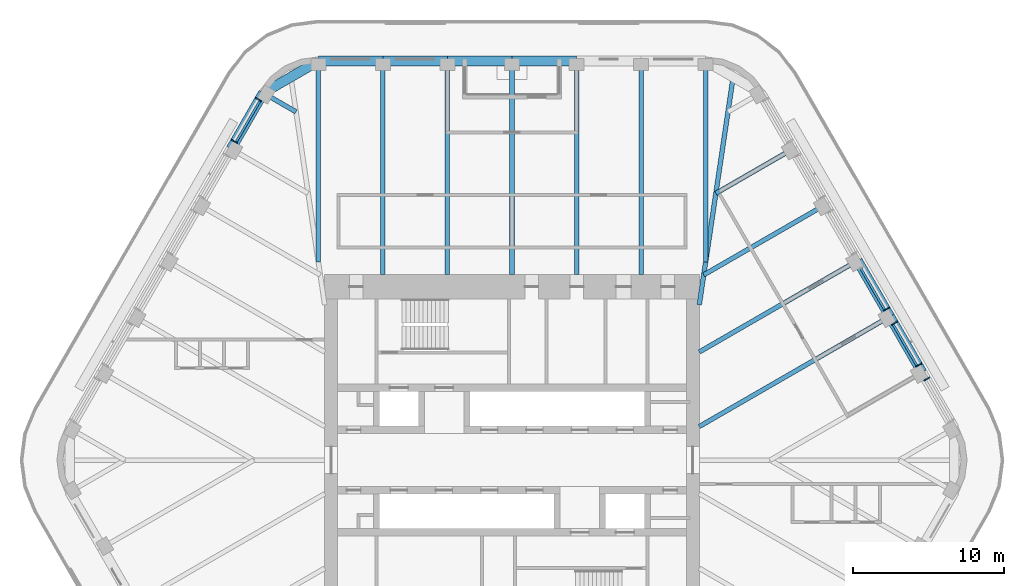
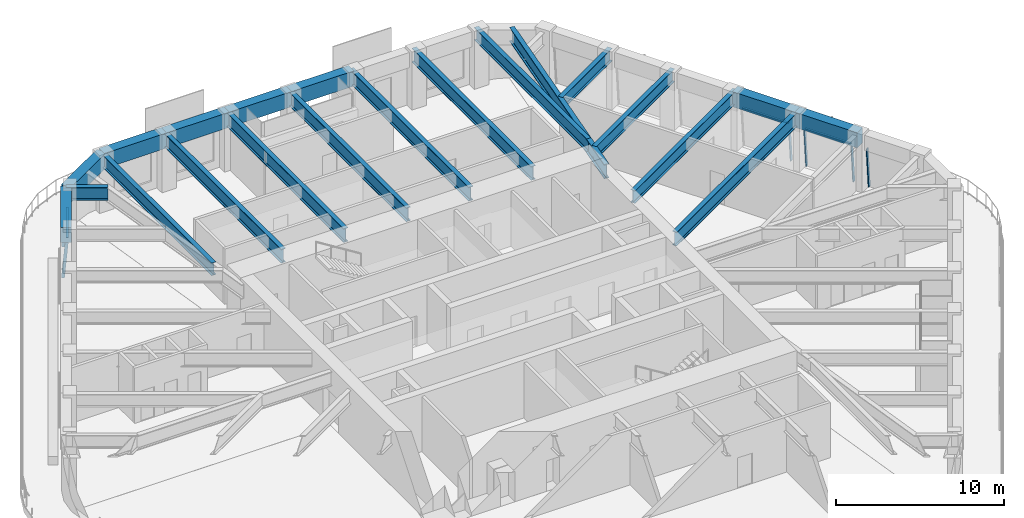
# One storey, part 9 of 19: 21 beams, 9 members, 4 elements without a shape of their own.
"""IFC4 building model written with IfcOpenShell, lengths in metres."""

from ifc_helpers import new_model, si_unit, direction, frame, origin, origin_2d, place, context, subcontext, project, spatial, rectangle, i_section, extrude, material, material_profile, profile_set, type_object, element, aggregate, save


model = new_model("IFC4")

# Units and contexts
model_context = context("Model", 3, precision=1e-05, world=origin(), true_north=direction((0.0, 1.0)))
body_context = subcontext(model_context, "Body", "Model", "MODEL_VIEW")
ifc_project = project(units=[si_unit("LENGTHUNIT", "METRE"), si_unit("AREAUNIT", "SQUARE_METRE"), si_unit("VOLUMEUNIT", "CUBIC_METRE"), si_unit("PLANEANGLEUNIT", "RADIAN"), si_unit("MASSUNIT", "GRAM", prefix="KILO")], contexts=[model_context])

# Site, building, storey
site_placement = place(None, origin())
site = spatial("IfcSite", under=ifc_project, at=site_placement, CompositionType="ELEMENT")
building_placement = place(site_placement, origin())
building = spatial("IfcBuilding", under=site, at=building_placement, Name="Tarfa Lantern Tower", CompositionType="ELEMENT")
storey_placement = place(building_placement, frame((0.0, 0.0, 349.300048828125)))
storey = spatial("IfcBuildingStorey", under=building, at=storey_placement, Name="L79", CompositionType="ELEMENT", Elevation=349.300048828125)

# Curtain wall, member
ifc_material_1 = material(Name="Aluminium framed curtain wall", Category="aluminium")
curtain_wall_type = type_object("IfcCurtainWallType", Name="CW4 CANTED GLAZING EXECUTIVE ZONE 2900", PredefinedType="USERDEFINED", material=ifc_material_1)
curtain_wall_1_placement = place(storey_placement, origin())
curtain_wall_1 = element("IfcCurtainWall", 1, at=curtain_wall_1_placement, inside=storey, type_object=curtain_wall_type, Name="CW4 NE L79", ObjectType="CURTAIN WALL", PredefinedType="USERDEFINED")
ifc_material_2 = material(Name="Aluminium mullion", Category="aluminium")
ifc_material_profile_1 = material_profile(ifc_material_2, rectangle(XDim=0.06494140625, YDim=0.199951171875, at=origin_2d()), Name="AL MULLION 65x200")
ifc_profile_set_1 = profile_set([ifc_material_profile_1], Name="Aluminium mullion")
member_type_1 = type_object("IfcMemberType", Name="CWM1 MULLION 65x200", PredefinedType="MULLION", material=ifc_profile_set_1)
member_1_placement = place(storey_placement, frame((27.6279296875, 5.447265625, 0.0), z_axis=(-0.074399820079, -0.042945555672, 0.996303340364), x_axis=(0.499919672301, -0.866071776036, 0.0)))
member_1 = element("IfcMember", 2, at=member_1_placement, type_object=member_type_1, Name="CW4 mullion 2", PredefinedType="MULLION", context=body_context, shape_type="SweptSolid", body=[
    extrude(rectangle(XDim=0.06494140625, YDim=0.199951171875, at=origin_2d()), origin(), (0.0, 0.0, 1.0), 2.91064453125),
])
aggregate(curtain_wall_1, [member_1])

# Curtain wall, members
curtain_wall_2_placement = place(storey_placement, origin())
curtain_wall_2 = element("IfcCurtainWall", 3, at=curtain_wall_2_placement, inside=storey, type_object=curtain_wall_type, Name="CW4 NE L79", ObjectType="CURTAIN WALL", PredefinedType="USERDEFINED")
member_2_placement = place(storey_placement, frame((27.095458984375, 6.369384765625, 0.0), z_axis=(-0.074399820079, -0.042945555672, 0.996303340364), x_axis=(0.499919672301, -0.866071776036, 0.0)))
member_2 = element("IfcMember", 4, at=member_2_placement, type_object=member_type_1, Name="CW4 mullion 1", PredefinedType="MULLION", context=body_context, shape_type="SweptSolid", body=[
    extrude(rectangle(XDim=0.06494140625, YDim=0.199951171875, at=origin_2d()), origin(), (0.0, 0.0, 1.0), 2.91064453125),
])
member_3_placement = place(storey_placement, frame((25.48681640625, 9.155517578125, 0.0), z_axis=(-0.074399820079, -0.042945555672, 0.996303340364), x_axis=(0.499919672301, -0.866071776036, 0.0)))
member_3 = element("IfcMember", 5, at=member_3_placement, type_object=member_type_1, Name="CW4 mullion 2", PredefinedType="MULLION", context=body_context, shape_type="SweptSolid", body=[
    extrude(rectangle(XDim=0.06494140625, YDim=0.199951171875, at=origin_2d()), origin(), (0.0, 0.0, 1.0), 2.91064453125),
])

# Curtain wall, member
curtain_wall_3_placement = place(storey_placement, origin())
curtain_wall_3 = element("IfcCurtainWall", 6, at=curtain_wall_3_placement, inside=storey, type_object=curtain_wall_type, Name="CW4 NE L79", ObjectType="CURTAIN WALL", PredefinedType="USERDEFINED")
member_4_placement = place(storey_placement, frame((24.954345703125, 10.077880859375, 0.0), z_axis=(-0.074399820079, -0.042945555672, 0.996303340364), x_axis=(0.499919672301, -0.866071776036, 0.0)))
member_4 = element("IfcMember", 7, at=member_4_placement, type_object=member_type_1, Name="CW4 mullion 1", PredefinedType="MULLION", context=body_context, shape_type="SweptSolid", body=[
    extrude(rectangle(XDim=0.06494140625, YDim=0.199951171875, at=origin_2d()), origin(), (0.0, 0.0, 1.0), 2.91064453125),
])

# Curtain wall, members
curtain_wall_4_placement = place(storey_placement, origin())
curtain_wall_4 = element("IfcCurtainWall", 8, at=curtain_wall_4_placement, inside=storey, type_object=curtain_wall_type, Name="CW4 NW L79", ObjectType="CURTAIN WALL", PredefinedType="USERDEFINED")
member_5_placement = place(storey_placement, frame((-16.9228515625, 23.98876953125, 0.0), z_axis=(0.074399820079, -0.042945555672, 0.996303340364), x_axis=(0.499919672301, 0.866071776036, 0.0)))
member_5 = element("IfcMember", 9, at=member_5_placement, type_object=member_type_1, Name="CW4 mullion 1", PredefinedType="MULLION", context=body_context, shape_type="SweptSolid", body=[
    extrude(rectangle(XDim=0.06494140625, YDim=0.199951171875, at=origin_2d()), origin(), (0.0, 0.0, 1.0), 2.91064453125),
])
member_6_placement = place(storey_placement, frame((-18.53125, 21.202880859375, 0.0), z_axis=(0.074399820079, -0.042945555672, 0.996303340364), x_axis=(0.499919672301, 0.866071776036, 0.0)))
member_6 = element("IfcMember", 10, at=member_6_placement, type_object=member_type_1, Name="CW4 mullion 2", PredefinedType="MULLION", context=body_context, shape_type="SweptSolid", body=[
    extrude(rectangle(XDim=0.06494140625, YDim=0.199951171875, at=origin_2d()), origin(), (0.0, 0.0, 1.0), 2.91064453125),
])

# Member
ifc_material_3 = material(Name="Aluminium transom", Category="aluminium")
ifc_material_profile_2 = material_profile(ifc_material_3, rectangle(XDim=0.14990234375, YDim=0.06494140625, at=origin_2d()), Name="AL TRANSOM 150x65")
ifc_profile_set_2 = profile_set([ifc_material_profile_2], Name="Aluminium transom")
member_type_2 = type_object("IfcMemberType", Name="CWT1 TRANSOM 150x65", PredefinedType="USERDEFINED", material=ifc_profile_set_2)
member_7_placement = place(storey_placement, frame((26.864990234375, 6.27392578125, 2.867431640625), z_axis=(-0.499979472441, 0.866037255052, 0.0), x_axis=(-0.866037255052, -0.499979472441, 0.0)))
member_7 = element("IfcMember", 11, at=member_7_placement, type_object=member_type_2, Name="CW4 transom 1.2", ObjectType="TRANSOM", PredefinedType="USERDEFINED", context=body_context, shape_type="SweptSolid", body=[
    extrude(rectangle(XDim=0.14990234375, YDim=0.06494140625, at=origin_2d()), origin(), (0.0, 0.0, 1.0), 3.152099609375),
])

aggregate(curtain_wall_2, [member_2, member_3, member_7])

member_8_placement = place(storey_placement, frame((24.72412109375, 9.982421875, 2.867431640625), z_axis=(-0.500037562771, 0.866003715822, 0.0), x_axis=(-0.866003715822, -0.500037562771, 0.0)))
member_8 = element("IfcMember", 12, at=member_8_placement, type_object=member_type_2, Name="CW4 transom 1.2", ObjectType="TRANSOM", PredefinedType="USERDEFINED", context=body_context, shape_type="SweptSolid", body=[
    extrude(rectangle(XDim=0.14990234375, YDim=0.06494140625, at=origin_2d()), origin(), (0.0, 0.0, 1.0), 3.152099609375),
])

aggregate(curtain_wall_3, [member_4, member_8])

member_9_placement = place(storey_placement, frame((-16.724853515625, 23.837158203125, 2.867431640625), z_axis=(-0.500037562771, -0.866003715822, 0.0), x_axis=(0.866003715822, -0.500037562771, 0.0)))
member_9 = element("IfcMember", 13, at=member_9_placement, type_object=member_type_2, Name="CW4 transom 1.2", ObjectType="TRANSOM", PredefinedType="USERDEFINED", context=body_context, shape_type="SweptSolid", body=[
    extrude(rectangle(XDim=0.14990234375, YDim=0.06494140625, at=origin_2d()), origin(), (0.0, 0.0, 1.0), 3.152099609375),
])

aggregate(curtain_wall_4, [member_5, member_6, member_9])

# Beams
ifc_material_4 = material(Name="Concrete C80/95", Category="concrete")
ifc_material_profile_3 = material_profile(ifc_material_4, rectangle(XDim=0.64990234375, YDim=1.10009765625, at=origin_2d()), Name="RC 650x1100")
ifc_profile_set_3 = profile_set([ifc_material_profile_3], Name="Concrete C80/95")
beam_type_1 = type_object("IfcBeamType", Name="EB4 RC 650x1100", PredefinedType="SPANDREL", material=ifc_profile_set_3)
beam_1_placement = place(storey_placement, frame((27.205810546875, 5.818359375, 3.449951171875), z_axis=(-0.500026801138, 0.866009929587, 0.0), x_axis=(-0.866009929587, -0.500026801138, 0.0)))
element("IfcBeam", 14, at=beam_1_placement, inside=storey, type_object=beam_type_1, Name="Edge beam NE1", PredefinedType="SPANDREL", context=body_context, shape_type="SweptSolid", body=[
    extrude(rectangle(XDim=0.64990234375, YDim=1.10009765625, at=origin_2d()), origin(), (0.0, 0.0, 1.0), 4.281982421875),
])
beam_2_placement = place(storey_placement, frame((25.064697265625, 9.526611328125, 3.449951171875), z_axis=(-0.500002112793, 0.866024183959, 0.0), x_axis=(-0.866024183959, -0.500002112793, 0.0)))
element("IfcBeam", 15, at=beam_2_placement, inside=storey, type_object=beam_type_1, Name="Edge beam NE2", PredefinedType="SPANDREL", context=body_context, shape_type="SweptSolid", body=[
    extrude(rectangle(XDim=0.64990234375, YDim=1.10009765625, at=origin_2d()), origin(), (0.0, 0.0, 1.0), 4.2822265625),
])
for number, where, z_axis, x_axis, name in (
    (16, (4.281982421875, 26.469970703125, 3.449951171875), (-1.0, 0.0, 0.0), (0.0, -1.0, 0.0), "Edge beam N2"),
    (17, (0.0, 26.469970703125, 3.449951171875), (-1.0, 0.0, 0.0), (0.0, -1.0, 0.0), "Edge beam N3"),
    (18, (-4.281982421875, 26.469970703125, 3.449951171875), (-1.0, 0.0, 0.0), (0.0, -1.0, 0.0), "Edge beam N4"),
    (19, (-8.56396484375, 26.469970703125, 3.449951171875), (-1.0, 0.0, 0.0), (0.0, -1.0, 0.0), "Edge beam N5"),
):
    element("IfcBeam", number, at=place(storey_placement, frame(where, z_axis=z_axis, x_axis=x_axis)), inside=storey, type_object=beam_type_1, Name=name, PredefinedType="SPANDREL", context=body_context, shape_type="SweptSolid", body=[
        extrude(rectangle(XDim=0.64990234375, YDim=1.10009765625, at=origin_2d()), origin(), (0.0, 0.0, 1.0), 4.281982421875),
    ])
beam_3_placement = place(storey_placement, frame((-12.845947265625, 26.469970703125, 3.449951171875), z_axis=(-0.866048788483, -0.499959494327, 0.0), x_axis=(0.499959494327, -0.866048788483, 0.0)))
element("IfcBeam", 20, at=beam_3_placement, inside=storey, type_object=beam_type_1, Name="Edge beam N6", PredefinedType="SPANDREL", context=body_context, shape_type="SweptSolid", body=[
    extrude(rectangle(XDim=0.64990234375, YDim=1.10009765625, at=origin_2d()), origin(), (0.0, 0.0, 1.0), 4.219970703125),
])
beam_4_placement = place(storey_placement, frame((-16.500732421875, 24.360107421875, 3.449951171875), z_axis=(-0.499959351497, -0.866048870937, 0.0), x_axis=(0.866048870937, -0.499959351497, 0.0)))
element("IfcBeam", 21, at=beam_4_placement, inside=storey, type_object=beam_type_1, Name="Edge beam NW0", PredefinedType="SPANDREL", context=body_context, shape_type="SweptSolid", body=[
    extrude(rectangle(XDim=0.64990234375, YDim=1.10009765625, at=origin_2d()), origin(), (0.0, 0.0, 1.0), 4.281982421875),
])
ifc_material_5 = material(Name="Steel S460M", Category="steel")
ifc_material_profile_4 = material_profile(ifc_material_5, i_section(OverallWidth=0.302001953125, OverallDepth=1.008056640625, WebThickness=0.02099609375, FlangeThickness=0.0400390625, FilletRadius=0.030029296875, at=origin_2d()), Name="UB1016x305x349")
ifc_profile_set_4 = profile_set([ifc_material_profile_4], Name="Steel S460M")
beam_type_2 = type_object("IfcBeamType", Name="UB1016x305x349", PredefinedType="BEAM", material=ifc_profile_set_4)
beam_5_placement = place(storey_placement, frame((25.064697265625, 9.526611328125, 3.495849609375), z_axis=(-0.866029591389, -0.499992746786, 0.0), x_axis=(0.499992746786, -0.866029591389, 0.0)))
element("IfcBeam", 22, at=beam_5_placement, inside=storey, type_object=beam_type_2, Name="Floor beam NE2", PredefinedType="BEAM", context=body_context, shape_type="SweptSolid", body=[
    extrude(i_section(OverallWidth=0.302001953125, OverallDepth=1.008056640625, WebThickness=0.02099609375, FlangeThickness=0.0400390625, FilletRadius=0.030029296875, at=origin_2d()), origin(), (0.0, 0.0, 1.0), 14.594970703125),
])
for number, where, z_axis, x_axis, name in (
    (23, (8.56396484375, 26.469970703125, 3.495849609375), (0.0, -1.0, 0.0), (1.0, 0.0, 0.0), "Floor beam N1"),
    (24, (4.281982421875, 26.469970703125, 3.495849609375), (0.0, -1.0, 0.0), (1.0, 0.0, 0.0), "Floor beam N2"),
    (25, (0.0, 26.469970703125, 3.495849609375), (0.0, -1.0, 0.0), (1.0, 0.0, 0.0), "Floor beam N3"),
    (26, (-4.281982421875, 26.469970703125, 3.495849609375), (0.0, -1.0, 0.0), (1.0, 0.0, 0.0), "Floor beam N4"),
    (27, (-8.56396484375, 26.469970703125, 3.495849609375), (0.0, -1.0, 0.0), (1.0, 0.0, 0.0), "Floor beam N5"),
):
    element("IfcBeam", number, at=place(storey_placement, frame(where, z_axis=z_axis, x_axis=x_axis)), inside=storey, type_object=beam_type_2, Name=name, PredefinedType="BEAM", context=body_context, shape_type="SweptSolid", body=[
        extrude(i_section(OverallWidth=0.302001953125, OverallDepth=1.008056640625, WebThickness=0.02099609375, FlangeThickness=0.0400390625, FilletRadius=0.030029296875, at=origin_2d()), origin(), (0.0, 0.0, 1.0), 14.169921875),
    ])
ifc_material_profile_5 = material_profile(ifc_material_5, i_section(OverallWidth=0.30859375, OverallDepth=1.036376953125, WebThickness=0.030029296875, FlangeThickness=0.05419921875, FilletRadius=0.030029296875, at=origin_2d()), Name="UB1016x305x487")
ifc_profile_set_5 = profile_set([ifc_material_profile_5], Name="Steel S460M")
beam_type_3 = type_object("IfcBeamType", Name="UB1016x305x487", PredefinedType="BEAM", material=ifc_profile_set_5)
beam_6_placement = place(storey_placement, frame((12.425048828125, 10.300048828125, 3.481689453125), z_axis=(0.147127069073, 0.989117599452, 0.0), x_axis=(-0.989117599452, 0.147127069073, 0.0)))
element("IfcBeam", 28, at=beam_6_placement, inside=storey, type_object=beam_type_3, Name="Hip girder NE", PredefinedType="BEAM", context=body_context, shape_type="SweptSolid", body=[
    extrude(i_section(OverallWidth=0.30859375, OverallDepth=1.036376953125, WebThickness=0.030029296875, FlangeThickness=0.05419921875, FilletRadius=0.030029296875, at=origin_2d()), origin(), (0.0, 0.0, 1.0), 15.28125),
])
ifc_material_profile_6 = material_profile(ifc_material_5, i_section(OverallWidth=0.305419921875, OverallDepth=0.91845703125, WebThickness=0.017333984375, FlangeThickness=0.02783203125, FilletRadius=0.01904296875, at=origin_2d()), Name="UB914x305x253")
ifc_profile_set_6 = profile_set([ifc_material_profile_6], Name="Steel S460M")
beam_type_4 = type_object("IfcBeamType", Name="UB914x305x253", PredefinedType="BEAM", material=ifc_profile_set_6)
beam_7_placement = place(storey_placement, frame((22.923583984375, 13.235107421875, 3.540771484375), z_axis=(-0.86601856927, -0.500011837539, 0.0), x_axis=(0.500011837539, -0.86601856927, 0.0)))
element("IfcBeam", 29, at=beam_7_placement, inside=storey, type_object=beam_type_4, Name="Floor beam NE3", PredefinedType="BEAM", context=body_context, shape_type="SweptSolid", body=[
    extrude(i_section(OverallWidth=0.305419921875, OverallDepth=0.91845703125, WebThickness=0.017333984375, FlangeThickness=0.02783203125, FilletRadius=0.01904296875, at=origin_2d()), origin(), (0.0, 0.0, 1.0), 12.122802734375),
])
beam_8_placement = place(storey_placement, frame((20.78271484375, 16.943359375, 3.540771484375), z_axis=(-0.866021806508, -0.500006230613, 0.0), x_axis=(0.500006230613, -0.866021806508, 0.0)))
element("IfcBeam", 30, at=beam_8_placement, inside=storey, type_object=beam_type_4, Name="Floor beam NE4", PredefinedType="BEAM", context=body_context, shape_type="SweptSolid", body=[
    extrude(i_section(OverallWidth=0.305419921875, OverallDepth=0.91845703125, WebThickness=0.017333984375, FlangeThickness=0.02783203125, FilletRadius=0.01904296875, at=origin_2d()), origin(), (0.0, 0.0, 1.0), 9.30908203125),
])
beam_9_placement = place(storey_placement, frame((18.6416015625, 20.651611328125, 3.540771484375), z_axis=(-0.866024549157, -0.500001480256, 0.0), x_axis=(0.500001480256, -0.866024549157, 0.0)))
element("IfcBeam", 31, at=beam_9_placement, inside=storey, type_object=beam_type_4, Name="Floor beam NE5", PredefinedType="BEAM", context=body_context, shape_type="SweptSolid", body=[
    extrude(i_section(OverallWidth=0.305419921875, OverallDepth=0.91845703125, WebThickness=0.017333984375, FlangeThickness=0.02783203125, FilletRadius=0.01904296875, at=origin_2d()), origin(), (0.0, 0.0, 1.0), 5.90771484375),
])
for number, where, z_axis, x_axis, name in (
    (32, (12.845947265625, 26.469970703125, 3.540771484375), (0.0, -1.0, 0.0), (1.0, 0.0, 0.0), "Floor beam N0"),
    (33, (-12.845947265625, 26.469970703125, 3.540771484375), (0.0, -1.0, 0.0), (1.0, 0.0, 0.0), "Floor beam N6"),
):
    element("IfcBeam", number, at=place(storey_placement, frame(where, z_axis=z_axis, x_axis=x_axis)), inside=storey, type_object=beam_type_4, Name=name, PredefinedType="BEAM", context=body_context, shape_type="SweptSolid", body=[
        extrude(i_section(OverallWidth=0.305419921875, OverallDepth=0.91845703125, WebThickness=0.017333984375, FlangeThickness=0.02783203125, FilletRadius=0.01904296875, at=origin_2d()), origin(), (0.0, 0.0, 1.0), 13.33935546875),
    ])
beam_10_placement = place(storey_placement, frame((-16.500732421875, 24.360107421875, 3.540771484375), z_axis=(0.865992557167, -0.500056887695, 0.0), x_axis=(0.500056887695, 0.865992557167, 0.0)))
element("IfcBeam", 34, at=beam_10_placement, inside=storey, type_object=beam_type_4, Name="Floor beam NW0", PredefinedType="BEAM", context=body_context, shape_type="SweptSolid", body=[
    extrude(i_section(OverallWidth=0.305419921875, OverallDepth=0.91845703125, WebThickness=0.017333984375, FlangeThickness=0.02783203125, FilletRadius=0.01904296875, at=origin_2d()), origin(), (0.0, 0.0, 1.0), 2.506591796875),
])

save(model, "model.ifc")
